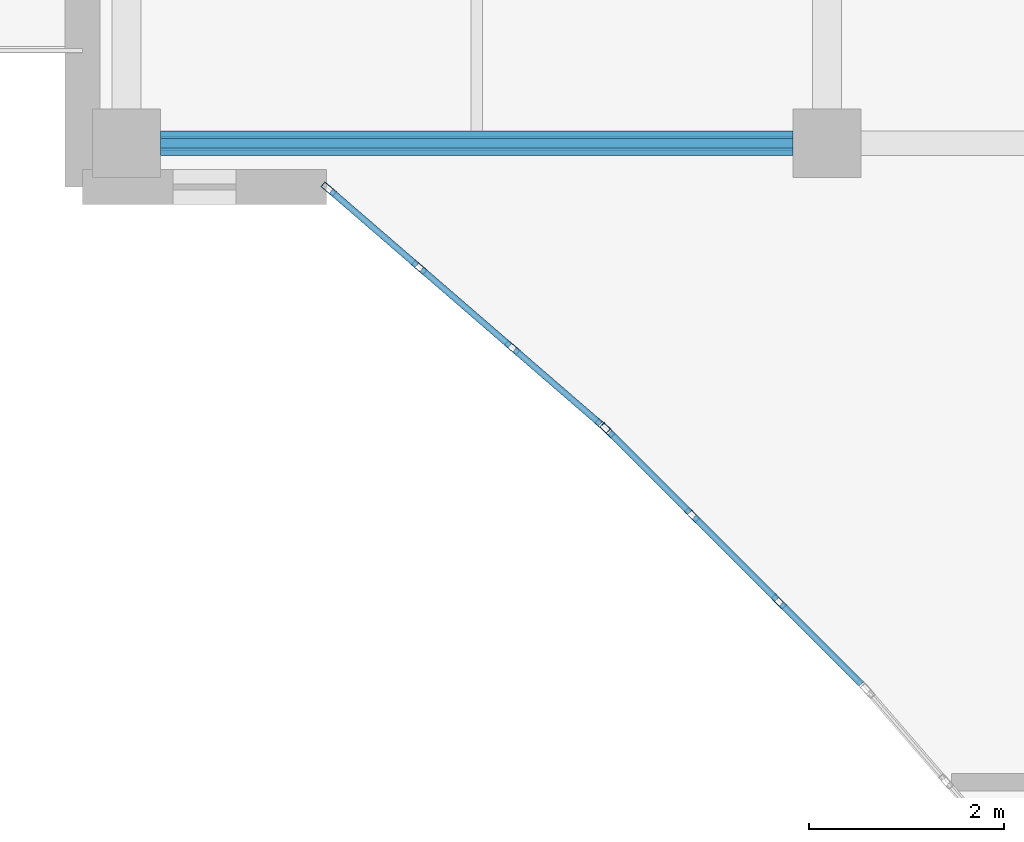
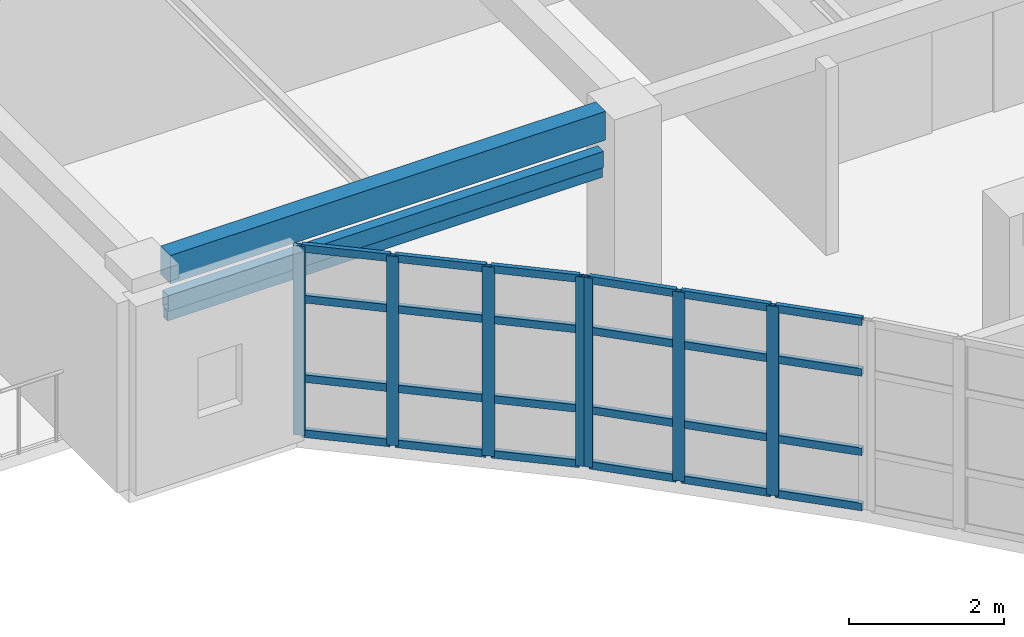
# One storey, part 18 of 89: 33 members, 1 beam, 2 elements without a shape of their own.
"""IFC4 building model written with IfcOpenShell, lengths in metres."""

from ifc_helpers import new_model, si_unit, direction, frame, origin, origin_2d, place, context, subcontext, project, spatial, rectangle, hollow_rectangle, extrude, material, layer, layer_set, material_profile, profile_set, type_object, element, aggregate, save


model = new_model("IFC4")

# Units and contexts
model_context = context("Model", 3, precision=1e-05, world=origin(), true_north=direction((0.0, 1.0)))
body_context = subcontext(model_context, "Body", "Model", "MODEL_VIEW")
ifc_project = project(units=[si_unit("LENGTHUNIT", "METRE"), si_unit("AREAUNIT", "SQUARE_METRE"), si_unit("VOLUMEUNIT", "CUBIC_METRE"), si_unit("PLANEANGLEUNIT", "RADIAN"), si_unit("MASSUNIT", "GRAM", prefix="KILO")], contexts=[model_context])

# Site, building, storey
site_placement = place(None, origin())
site = spatial("IfcSite", under=ifc_project, at=site_placement, CompositionType="ELEMENT")
building_placement = place(site_placement, origin())
building = spatial("IfcBuilding", under=site, at=building_placement, Name="Keldmere Railside Commons", CompositionType="ELEMENT")
storey_placement = place(building_placement, frame((0.0, 0.0, 7.360107421875)))
storey = spatial("IfcBuildingStorey", under=building, at=storey_placement, Name="L02", CompositionType="ELEMENT", Elevation=7.360107421875)

# Member
ifc_material_1 = material(Name="Steel F-36 (S355)", Category="steel")
ifc_material_profile_1 = material_profile(ifc_material_1, hollow_rectangle(XDim=0.14990234375, YDim=0.25, WallThickness=0.010009765625, at=origin_2d()), Name="RHS-250x150x10")
ifc_profile_set_1 = profile_set([ifc_material_profile_1], Name="Steel F-36 (S355)")
member_type_1 = type_object("IfcMemberType", Name="Balcony Continuous Planted Trough RHS250x150", PredefinedType="CHORD", material=ifc_profile_set_1)
member_1_placement = place(storey_placement, frame((94.300048828125, 100.449951171875, 2.414794921875), z_axis=(1.0, 0.0, 0.0), x_axis=(0.0, 1.0, 0.0)))
element("IfcMember", 1, at=member_1_placement, inside=storey, type_object=member_type_1, Name="PLT-1 MEM-BPLT-0283", PredefinedType="CHORD", context=body_context, shape_type="SweptSolid", body=[
    extrude(hollow_rectangle(XDim=0.14990234375, YDim=0.25, WallThickness=0.010009765625, at=origin_2d()), origin(), (0.0, 0.0, 1.0), 6.48291015625),
])

# Beam
ifc_material_2 = material(Name="Architectural Precast Concrete H-35 (C35/45)", Category="concrete")
ifc_material_profile_2 = material_profile(ifc_material_2, rectangle(XDim=0.25, YDim=0.449951171875, at=origin_2d()), Name="RC-250x450")
ifc_profile_set_2 = profile_set([ifc_material_profile_2], Name="Architectural Precast Concrete H-35 (C35/45)")
beam_type = type_object("IfcBeamType", Name="Perimeter Precast Spandrel Beam 250x450", PredefinedType="SPANDREL", material=ifc_profile_set_2)
beam_placement = place(storey_placement, frame((94.300048828125, 100.449951171875, 2.974853515625), z_axis=(1.0, 0.0, 0.0), x_axis=(0.0, 1.0, 0.0)))
element("IfcBeam", 2, at=beam_placement, inside=storey, type_object=beam_type, Name="SPB-1 BM-L02-1112", PredefinedType="SPANDREL", context=body_context, shape_type="SweptSolid", body=[
    extrude(rectangle(XDim=0.25, YDim=0.449951171875, at=origin_2d()), origin(), (0.0, 0.0, 1.0), 6.48291015625),
])

# Member
ifc_material_profile_3 = material_profile(ifc_material_1, hollow_rectangle(XDim=0.10009765625, YDim=0.159912109375, WallThickness=0.008056640625, at=origin_2d()), Name="RHS-160x100x8")
ifc_profile_set_3 = profile_set([ifc_material_profile_3], Name="Steel F-36 (S355)")
member_type_2 = type_object("IfcMemberType", Name="Solar Brise-Soleil Louvre Fin RHS160x100", PredefinedType="STRUT", material=ifc_profile_set_3)
member_2_placement = place(storey_placement, frame((94.300048828125, 100.449951171875, 2.199951171875), z_axis=(1.0, 0.0, 0.0), x_axis=(0.0, 1.0, 0.0)))
element("IfcMember", 3, at=member_2_placement, inside=storey, type_object=member_type_2, Name="BSF-1 MEM-BSF-0284", PredefinedType="STRUT", context=body_context, shape_type="SweptSolid", body=[
    extrude(hollow_rectangle(XDim=0.10009765625, YDim=0.159912109375, WallThickness=0.008056640625, at=origin_2d()), origin(), (0.0, 0.0, 1.0), 6.48291015625),
])

# Curtain wall, members
ifc_material_3 = material(Name="Thermally Broken Aluminium", Category="aluminium")
ifc_layer_1 = layer(ifc_material_3, 0.159912109375, Name="Court Chord Wintergarden CW 4800x2850")
ifc_layer_set_1 = layer_set([ifc_layer_1], Name="Thermally Broken Aluminium")
curtain_wall_type_1 = type_object("IfcCurtainWallType", Name="Court Chord Wintergarden CW 4800x2850", PredefinedType="NOTDEFINED", material=ifc_layer_set_1)
curtain_wall_1_placement = place(storey_placement, origin())
curtain_wall_1 = element("IfcCurtainWall", 4, at=curtain_wall_1_placement, inside=storey, type_object=curtain_wall_type_1, Name="CW-12 CW-L02-100", PredefinedType="NOTDEFINED")
ifc_material_profile_4 = material_profile(ifc_material_3, hollow_rectangle(XDim=0.06494140625, YDim=0.159912109375, WallThickness=0.00390625, at=origin_2d()), Name="ALU-MULL-65x160")
ifc_profile_set_4 = profile_set([ifc_material_profile_4], Name="Thermally Broken Aluminium")
member_type_3 = type_object("IfcMemberType", Name="Unitised Curtain Wall Mullion 65x160", PredefinedType="MULLION", material=ifc_profile_set_4)
member_3_placement = place(storey_placement, frame((98.83349609375, 97.55126953125, 0.0), z_axis=(0.0, 0.0, 1.0), x_axis=(-0.653881741053, -0.756596767584, 0.0)))
member_3 = element("IfcMember", 5, at=member_3_placement, type_object=member_type_3, Name="CW-12 mullion 1", PredefinedType="MULLION", context=body_context, shape_type="SweptSolid", body=[
    extrude(hollow_rectangle(XDim=0.06494140625, YDim=0.159912109375, WallThickness=0.00390625, at=origin_2d()), origin(), (0.0, 0.0, 1.0), 2.97998046875),
])
member_4_placement = place(storey_placement, frame((97.9052734375, 98.353271484375, 0.0), z_axis=(0.0, 0.0, 1.0), x_axis=(-0.653881741053, -0.756596767584, 0.0)))
member_4 = element("IfcMember", 6, at=member_4_placement, type_object=member_type_3, Name="CW-12 mullion 2", PredefinedType="MULLION", context=body_context, shape_type="SweptSolid", body=[
    extrude(hollow_rectangle(XDim=0.06494140625, YDim=0.159912109375, WallThickness=0.00390625, at=origin_2d()), origin(), (0.0, 0.0, 1.0), 2.97998046875),
])
member_5_placement = place(storey_placement, frame((96.95263671875, 99.1767578125, 0.0), z_axis=(0.0, 0.0, 1.0), x_axis=(-0.653881741053, -0.756596767584, 0.0)))
member_5 = element("IfcMember", 7, at=member_5_placement, type_object=member_type_3, Name="CW-12 mullion 3", PredefinedType="MULLION", context=body_context, shape_type="SweptSolid", body=[
    extrude(hollow_rectangle(XDim=0.06494140625, YDim=0.159912109375, WallThickness=0.00390625, at=origin_2d()), origin(), (0.0, 0.0, 1.0), 2.97998046875),
])
member_6_placement = place(storey_placement, frame((96.024658203125, 99.978759765625, 0.0), z_axis=(0.0, 0.0, 1.0), x_axis=(-0.653881741053, -0.756596767584, 0.0)))
member_6 = element("IfcMember", 8, at=member_6_placement, type_object=member_type_3, Name="CW-12 mullion 4", PredefinedType="MULLION", context=body_context, shape_type="SweptSolid", body=[
    extrude(hollow_rectangle(XDim=0.06494140625, YDim=0.159912109375, WallThickness=0.00390625, at=origin_2d()), origin(), (0.0, 0.0, 1.0), 2.97998046875),
])

ifc_layer_2 = layer(ifc_material_3, 0.159912109375, Name="Court Chord Wintergarden CW 5400x2850")
ifc_layer_set_2 = layer_set([ifc_layer_2], Name="Thermally Broken Aluminium")
curtain_wall_type_2 = type_object("IfcCurtainWallType", Name="Court Chord Wintergarden CW 5400x2850", PredefinedType="NOTDEFINED", material=ifc_layer_set_2)
curtain_wall_2_placement = place(storey_placement, origin())
curtain_wall_2 = element("IfcCurtainWall", 9, at=curtain_wall_2_placement, inside=storey, type_object=curtain_wall_type_2, Name="CW-13 CW-L02-101", PredefinedType="NOTDEFINED")
member_7_placement = place(storey_placement, frame((100.639404296875, 95.748779296875, 0.0), z_axis=(0.0, 0.0, 1.0), x_axis=(-0.707106781187, -0.707106781187, 0.0)))
member_7 = element("IfcMember", 10, at=member_7_placement, type_object=member_type_3, Name="CW-13 mullion 2", PredefinedType="MULLION", context=body_context, shape_type="SweptSolid", body=[
    extrude(hollow_rectangle(XDim=0.06494140625, YDim=0.159912109375, WallThickness=0.00390625, at=origin_2d()), origin(), (0.0, 0.0, 1.0), 2.97998046875),
])
member_8_placement = place(storey_placement, frame((99.748779296875, 96.639404296875, 0.0), z_axis=(0.0, 0.0, 1.0), x_axis=(-0.707106781187, -0.707106781187, 0.0)))
member_8 = element("IfcMember", 11, at=member_8_placement, type_object=member_type_3, Name="CW-13 mullion 3", PredefinedType="MULLION", context=body_context, shape_type="SweptSolid", body=[
    extrude(hollow_rectangle(XDim=0.06494140625, YDim=0.159912109375, WallThickness=0.00390625, at=origin_2d()), origin(), (0.0, 0.0, 1.0), 2.97998046875),
])
member_9_placement = place(storey_placement, frame((98.880859375, 97.507080078125, 0.0), z_axis=(0.0, 0.0, 1.0), x_axis=(-0.707106781187, -0.707106781187, 0.0)))
member_9 = element("IfcMember", 12, at=member_9_placement, type_object=member_type_3, Name="CW-13 mullion 4", PredefinedType="MULLION", context=body_context, shape_type="SweptSolid", body=[
    extrude(hollow_rectangle(XDim=0.06494140625, YDim=0.159912109375, WallThickness=0.00390625, at=origin_2d()), origin(), (0.0, 0.0, 1.0), 2.97998046875),
])

# Member
ifc_material_profile_5 = material_profile(ifc_material_3, hollow_rectangle(XDim=0.06494140625, YDim=0.1201171875, WallThickness=0.00390625, at=origin_2d()), Name="ALU-TRAN-65x120")
ifc_profile_set_5 = profile_set([ifc_material_profile_5], Name="Thermally Broken Aluminium")
member_type_4 = type_object("IfcMemberType", Name="Unitised Curtain Wall Transom 65x120", PredefinedType="USERDEFINED", material=ifc_profile_set_5)
member_10_placement = place(storey_placement, frame((98.808837890625, 97.572509765625, 0.032470703125), z_axis=(-0.756624489527, 0.653849663033, 0.0), x_axis=(-0.653849663033, -0.756624489527, 0.0)))
member_10 = element("IfcMember", 13, at=member_10_placement, type_object=member_type_4, Name="CW-12 transom 1.1", ObjectType="TRANSOM", PredefinedType="USERDEFINED", context=body_context, shape_type="SweptSolid", body=[
    extrude(hollow_rectangle(XDim=0.06494140625, YDim=0.1201171875, WallThickness=0.00390625, at=origin_2d()), origin(), (0.0, 0.0, 1.0), 1.16162109375),
])

member_11_placement = place(storey_placement, frame((98.808837890625, 97.572509765625, 0.89990234375), z_axis=(-0.756624489527, 0.653849663033, 0.0), x_axis=(-0.653849663033, -0.756624489527, 0.0)))
member_11 = element("IfcMember", 14, at=member_11_placement, type_object=member_type_4, Name="CW-12 transom 1.2", ObjectType="TRANSOM", PredefinedType="USERDEFINED", context=body_context, shape_type="SweptSolid", body=[
    extrude(hollow_rectangle(XDim=0.06494140625, YDim=0.1201171875, WallThickness=0.00390625, at=origin_2d()), origin(), (0.0, 0.0, 1.0), 1.16162109375),
])

member_12_placement = place(storey_placement, frame((98.808837890625, 97.572509765625, 2.14990234375), z_axis=(-0.756624489527, 0.653849663033, 0.0), x_axis=(-0.653849663033, -0.756624489527, 0.0)))
member_12 = element("IfcMember", 15, at=member_12_placement, type_object=member_type_4, Name="CW-12 transom 1.3", ObjectType="TRANSOM", PredefinedType="USERDEFINED", context=body_context, shape_type="SweptSolid", body=[
    extrude(hollow_rectangle(XDim=0.06494140625, YDim=0.1201171875, WallThickness=0.00390625, at=origin_2d()), origin(), (0.0, 0.0, 1.0), 1.16162109375),
])

member_13_placement = place(storey_placement, frame((98.808837890625, 97.572509765625, 2.947509765625), z_axis=(-0.756624489527, 0.653849663033, 0.0), x_axis=(-0.653849663033, -0.756624489527, 0.0)))
member_13 = element("IfcMember", 16, at=member_13_placement, type_object=member_type_4, Name="CW-12 transom 1.4", ObjectType="TRANSOM", PredefinedType="USERDEFINED", context=body_context, shape_type="SweptSolid", body=[
    extrude(hollow_rectangle(XDim=0.06494140625, YDim=0.1201171875, WallThickness=0.00390625, at=origin_2d()), origin(), (0.0, 0.0, 1.0), 1.16162109375),
])

member_14_placement = place(storey_placement, frame((97.880859375, 98.37451171875, 0.032470703125), z_axis=(-0.756551755881, 0.653933819796, 0.0), x_axis=(-0.653933819796, -0.756551755881, 0.0)))
member_14 = element("IfcMember", 17, at=member_14_placement, type_object=member_type_4, Name="CW-12 transom 2.1", ObjectType="TRANSOM", PredefinedType="USERDEFINED", context=body_context, shape_type="SweptSolid", body=[
    extrude(hollow_rectangle(XDim=0.06494140625, YDim=0.1201171875, WallThickness=0.00390625, at=origin_2d()), origin(), (0.0, 0.0, 1.0), 1.1943359375),
])

member_15_placement = place(storey_placement, frame((97.880859375, 98.37451171875, 0.89990234375), z_axis=(-0.756551755881, 0.653933819796, 0.0), x_axis=(-0.653933819796, -0.756551755881, 0.0)))
member_15 = element("IfcMember", 18, at=member_15_placement, type_object=member_type_4, Name="CW-12 transom 2.2", ObjectType="TRANSOM", PredefinedType="USERDEFINED", context=body_context, shape_type="SweptSolid", body=[
    extrude(hollow_rectangle(XDim=0.06494140625, YDim=0.1201171875, WallThickness=0.00390625, at=origin_2d()), origin(), (0.0, 0.0, 1.0), 1.1943359375),
])

member_16_placement = place(storey_placement, frame((97.880859375, 98.37451171875, 2.14990234375), z_axis=(-0.756551755881, 0.653933819796, 0.0), x_axis=(-0.653933819796, -0.756551755881, 0.0)))
member_16 = element("IfcMember", 19, at=member_16_placement, type_object=member_type_4, Name="CW-12 transom 2.3", ObjectType="TRANSOM", PredefinedType="USERDEFINED", context=body_context, shape_type="SweptSolid", body=[
    extrude(hollow_rectangle(XDim=0.06494140625, YDim=0.1201171875, WallThickness=0.00390625, at=origin_2d()), origin(), (0.0, 0.0, 1.0), 1.1943359375),
])

member_17_placement = place(storey_placement, frame((97.880859375, 98.37451171875, 2.947509765625), z_axis=(-0.756551755881, 0.653933819796, 0.0), x_axis=(-0.653933819796, -0.756551755881, 0.0)))
member_17 = element("IfcMember", 20, at=member_17_placement, type_object=member_type_4, Name="CW-12 transom 2.4", ObjectType="TRANSOM", PredefinedType="USERDEFINED", context=body_context, shape_type="SweptSolid", body=[
    extrude(hollow_rectangle(XDim=0.06494140625, YDim=0.1201171875, WallThickness=0.00390625, at=origin_2d()), origin(), (0.0, 0.0, 1.0), 1.1943359375),
])

member_18_placement = place(storey_placement, frame((96.927978515625, 99.197998046875, 0.032470703125), z_axis=(-0.756624489527, 0.653849663033, 0.0), x_axis=(-0.653849663033, -0.756624489527, 0.0)))
member_18 = element("IfcMember", 21, at=member_18_placement, type_object=member_type_4, Name="CW-12 transom 3.1", ObjectType="TRANSOM", PredefinedType="USERDEFINED", context=body_context, shape_type="SweptSolid", body=[
    extrude(hollow_rectangle(XDim=0.06494140625, YDim=0.1201171875, WallThickness=0.00390625, at=origin_2d()), origin(), (0.0, 0.0, 1.0), 1.16162109375),
])

member_19_placement = place(storey_placement, frame((96.927978515625, 99.197998046875, 0.89990234375), z_axis=(-0.756624489527, 0.653849663033, 0.0), x_axis=(-0.653849663033, -0.756624489527, 0.0)))
member_19 = element("IfcMember", 22, at=member_19_placement, type_object=member_type_4, Name="CW-12 transom 3.2", ObjectType="TRANSOM", PredefinedType="USERDEFINED", context=body_context, shape_type="SweptSolid", body=[
    extrude(hollow_rectangle(XDim=0.06494140625, YDim=0.1201171875, WallThickness=0.00390625, at=origin_2d()), origin(), (0.0, 0.0, 1.0), 1.16162109375),
])

member_20_placement = place(storey_placement, frame((96.927978515625, 99.197998046875, 2.14990234375), z_axis=(-0.756624489527, 0.653849663033, 0.0), x_axis=(-0.653849663033, -0.756624489527, 0.0)))
member_20 = element("IfcMember", 23, at=member_20_placement, type_object=member_type_4, Name="CW-12 transom 3.3", ObjectType="TRANSOM", PredefinedType="USERDEFINED", context=body_context, shape_type="SweptSolid", body=[
    extrude(hollow_rectangle(XDim=0.06494140625, YDim=0.1201171875, WallThickness=0.00390625, at=origin_2d()), origin(), (0.0, 0.0, 1.0), 1.16162109375),
])

member_21_placement = place(storey_placement, frame((96.927978515625, 99.197998046875, 2.947509765625), z_axis=(-0.756624489527, 0.653849663033, 0.0), x_axis=(-0.653849663033, -0.756624489527, 0.0)))
member_21 = element("IfcMember", 24, at=member_21_placement, type_object=member_type_4, Name="CW-12 transom 3.4", ObjectType="TRANSOM", PredefinedType="USERDEFINED", context=body_context, shape_type="SweptSolid", body=[
    extrude(hollow_rectangle(XDim=0.06494140625, YDim=0.1201171875, WallThickness=0.00390625, at=origin_2d()), origin(), (0.0, 0.0, 1.0), 1.16162109375),
])

aggregate(curtain_wall_1, [member_3, member_4, member_5, member_6, member_10, member_11, member_12, member_13, member_14, member_15, member_16, member_17, member_18, member_19, member_20, member_21])

member_22_placement = place(storey_placement, frame((101.484130859375, 94.904052734375, 0.032470703125), z_axis=(-0.707211825645, 0.707001721121, 0.0), x_axis=(-0.707001721121, -0.707211825645, 0.0)))
member_22 = element("IfcMember", 25, at=member_22_placement, type_object=member_type_4, Name="CW-13 transom 1.1", ObjectType="TRANSOM", PredefinedType="USERDEFINED", context=body_context, shape_type="SweptSolid", body=[
    extrude(hollow_rectangle(XDim=0.06494140625, YDim=0.1201171875, WallThickness=0.00390625, at=origin_2d()), origin(), (0.0, 0.0, 1.0), 1.162109375),
])

member_23_placement = place(storey_placement, frame((101.484130859375, 94.904052734375, 0.89990234375), z_axis=(-0.707211825645, 0.707001721121, 0.0), x_axis=(-0.707001721121, -0.707211825645, 0.0)))
member_23 = element("IfcMember", 26, at=member_23_placement, type_object=member_type_4, Name="CW-13 transom 1.2", ObjectType="TRANSOM", PredefinedType="USERDEFINED", context=body_context, shape_type="SweptSolid", body=[
    extrude(hollow_rectangle(XDim=0.06494140625, YDim=0.1201171875, WallThickness=0.00390625, at=origin_2d()), origin(), (0.0, 0.0, 1.0), 1.162109375),
])

member_24_placement = place(storey_placement, frame((101.484130859375, 94.904052734375, 2.14990234375), z_axis=(-0.707211825645, 0.707001721121, 0.0), x_axis=(-0.707001721121, -0.707211825645, 0.0)))
member_24 = element("IfcMember", 27, at=member_24_placement, type_object=member_type_4, Name="CW-13 transom 1.3", ObjectType="TRANSOM", PredefinedType="USERDEFINED", context=body_context, shape_type="SweptSolid", body=[
    extrude(hollow_rectangle(XDim=0.06494140625, YDim=0.1201171875, WallThickness=0.00390625, at=origin_2d()), origin(), (0.0, 0.0, 1.0), 1.162109375),
])

member_25_placement = place(storey_placement, frame((101.484130859375, 94.904052734375, 2.947509765625), z_axis=(-0.707211825645, 0.707001721121, 0.0), x_axis=(-0.707001721121, -0.707211825645, 0.0)))
member_25 = element("IfcMember", 28, at=member_25_placement, type_object=member_type_4, Name="CW-13 transom 1.4", ObjectType="TRANSOM", PredefinedType="USERDEFINED", context=body_context, shape_type="SweptSolid", body=[
    extrude(hollow_rectangle(XDim=0.06494140625, YDim=0.1201171875, WallThickness=0.00390625, at=origin_2d()), origin(), (0.0, 0.0, 1.0), 1.162109375),
])

member_26_placement = place(storey_placement, frame((100.616455078125, 95.771728515625, 0.032470703125), z_axis=(-0.707106781187, 0.707106781187, 0.0), x_axis=(-0.707106781187, -0.707106781187, 0.0)))
member_26 = element("IfcMember", 29, at=member_26_placement, type_object=member_type_4, Name="CW-13 transom 2.1", ObjectType="TRANSOM", PredefinedType="USERDEFINED", context=body_context, shape_type="SweptSolid", body=[
    extrude(hollow_rectangle(XDim=0.06494140625, YDim=0.1201171875, WallThickness=0.00390625, at=origin_2d()), origin(), (0.0, 0.0, 1.0), 1.194580078125),
])

member_27_placement = place(storey_placement, frame((100.616455078125, 95.771728515625, 0.89990234375), z_axis=(-0.707106781187, 0.707106781187, 0.0), x_axis=(-0.707106781187, -0.707106781187, 0.0)))
member_27 = element("IfcMember", 30, at=member_27_placement, type_object=member_type_4, Name="CW-13 transom 2.2", ObjectType="TRANSOM", PredefinedType="USERDEFINED", context=body_context, shape_type="SweptSolid", body=[
    extrude(hollow_rectangle(XDim=0.06494140625, YDim=0.1201171875, WallThickness=0.00390625, at=origin_2d()), origin(), (0.0, 0.0, 1.0), 1.194580078125),
])

member_28_placement = place(storey_placement, frame((100.616455078125, 95.771728515625, 2.14990234375), z_axis=(-0.707106781187, 0.707106781187, 0.0), x_axis=(-0.707106781187, -0.707106781187, 0.0)))
member_28 = element("IfcMember", 31, at=member_28_placement, type_object=member_type_4, Name="CW-13 transom 2.3", ObjectType="TRANSOM", PredefinedType="USERDEFINED", context=body_context, shape_type="SweptSolid", body=[
    extrude(hollow_rectangle(XDim=0.06494140625, YDim=0.1201171875, WallThickness=0.00390625, at=origin_2d()), origin(), (0.0, 0.0, 1.0), 1.194580078125),
])

member_29_placement = place(storey_placement, frame((100.616455078125, 95.771728515625, 2.947509765625), z_axis=(-0.707106781187, 0.707106781187, 0.0), x_axis=(-0.707106781187, -0.707106781187, 0.0)))
member_29 = element("IfcMember", 32, at=member_29_placement, type_object=member_type_4, Name="CW-13 transom 2.4", ObjectType="TRANSOM", PredefinedType="USERDEFINED", context=body_context, shape_type="SweptSolid", body=[
    extrude(hollow_rectangle(XDim=0.06494140625, YDim=0.1201171875, WallThickness=0.00390625, at=origin_2d()), origin(), (0.0, 0.0, 1.0), 1.194580078125),
])

member_30_placement = place(storey_placement, frame((99.7255859375, 96.662353515625, 0.032470703125), z_axis=(-0.707001721121, 0.707211825645, 0.0), x_axis=(-0.707211825645, -0.707001721121, 0.0)))
member_30 = element("IfcMember", 33, at=member_30_placement, type_object=member_type_4, Name="CW-13 transom 3.1", ObjectType="TRANSOM", PredefinedType="USERDEFINED", context=body_context, shape_type="SweptSolid", body=[
    extrude(hollow_rectangle(XDim=0.06494140625, YDim=0.1201171875, WallThickness=0.00390625, at=origin_2d()), origin(), (0.0, 0.0, 1.0), 1.162109375),
])

member_31_placement = place(storey_placement, frame((99.7255859375, 96.662353515625, 0.89990234375), z_axis=(-0.707001721121, 0.707211825645, 0.0), x_axis=(-0.707211825645, -0.707001721121, 0.0)))
member_31 = element("IfcMember", 34, at=member_31_placement, type_object=member_type_4, Name="CW-13 transom 3.2", ObjectType="TRANSOM", PredefinedType="USERDEFINED", context=body_context, shape_type="SweptSolid", body=[
    extrude(hollow_rectangle(XDim=0.06494140625, YDim=0.1201171875, WallThickness=0.00390625, at=origin_2d()), origin(), (0.0, 0.0, 1.0), 1.162109375),
])

member_32_placement = place(storey_placement, frame((99.7255859375, 96.662353515625, 2.14990234375), z_axis=(-0.707001721121, 0.707211825645, 0.0), x_axis=(-0.707211825645, -0.707001721121, 0.0)))
member_32 = element("IfcMember", 35, at=member_32_placement, type_object=member_type_4, Name="CW-13 transom 3.3", ObjectType="TRANSOM", PredefinedType="USERDEFINED", context=body_context, shape_type="SweptSolid", body=[
    extrude(hollow_rectangle(XDim=0.06494140625, YDim=0.1201171875, WallThickness=0.00390625, at=origin_2d()), origin(), (0.0, 0.0, 1.0), 1.162109375),
])

member_33_placement = place(storey_placement, frame((99.7255859375, 96.662353515625, 2.947509765625), z_axis=(-0.707001721121, 0.707211825645, 0.0), x_axis=(-0.707211825645, -0.707001721121, 0.0)))
member_33 = element("IfcMember", 36, at=member_33_placement, type_object=member_type_4, Name="CW-13 transom 3.4", ObjectType="TRANSOM", PredefinedType="USERDEFINED", context=body_context, shape_type="SweptSolid", body=[
    extrude(hollow_rectangle(XDim=0.06494140625, YDim=0.1201171875, WallThickness=0.00390625, at=origin_2d()), origin(), (0.0, 0.0, 1.0), 1.162109375),
])

aggregate(curtain_wall_2, [member_7, member_8, member_9, member_22, member_23, member_24, member_25, member_26, member_27, member_28, member_29, member_30, member_31, member_32, member_33])

save(model, "model.ifc")
